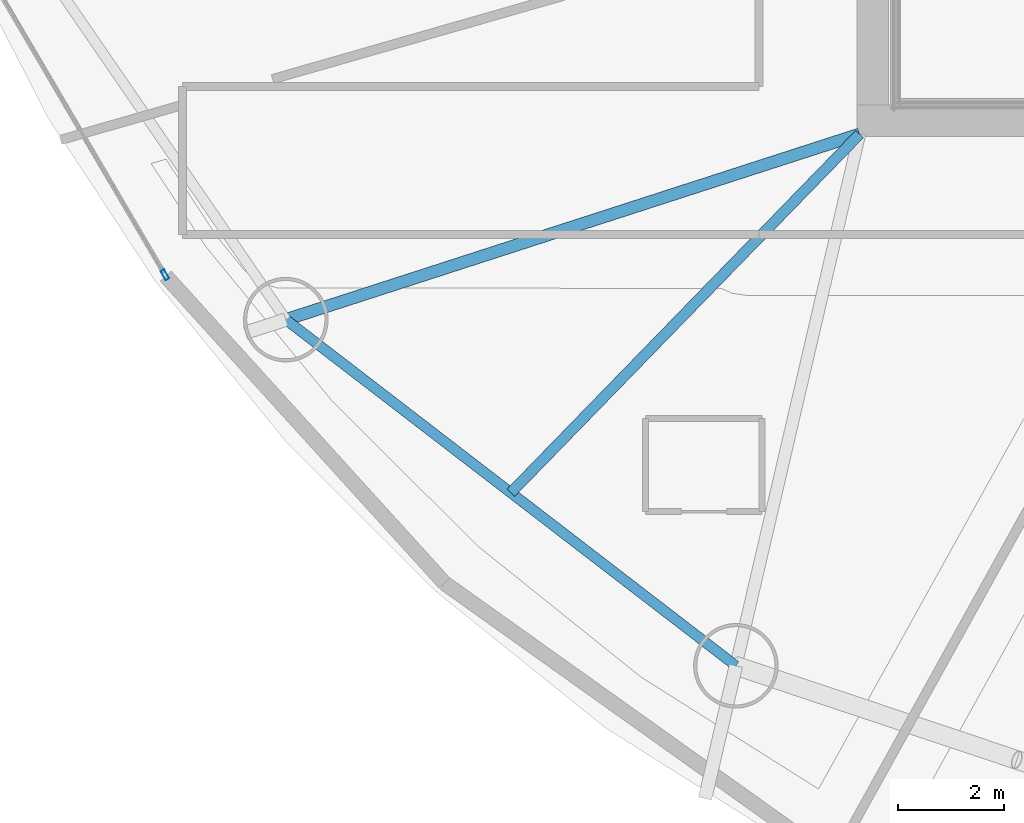
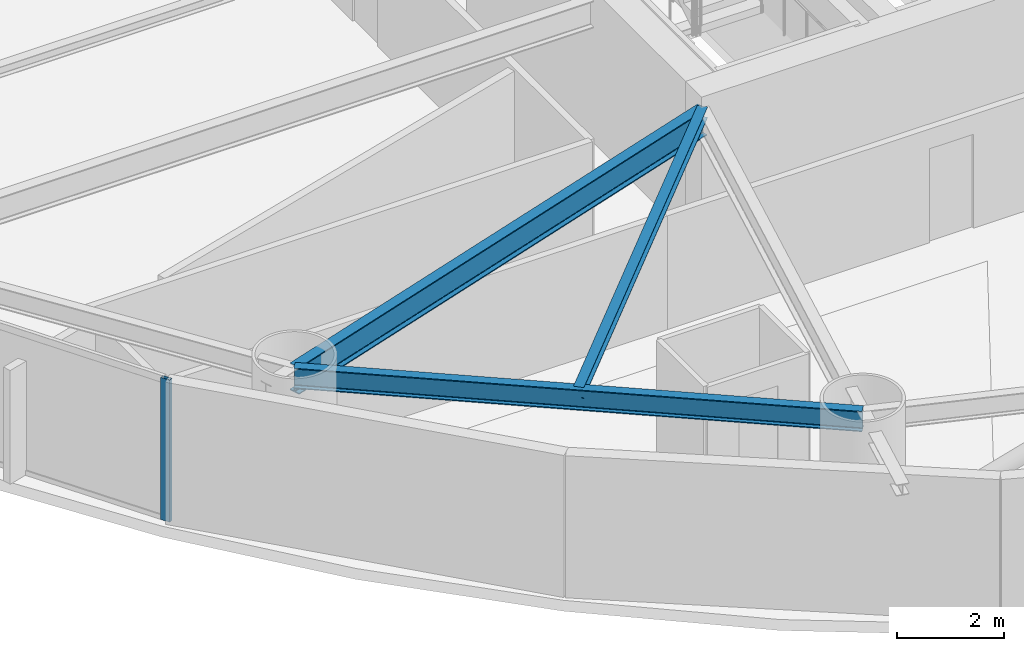
# One storey, part 2 of 30: 3 beams, 1 member, 1 element without a shape of its own.
"""IFC4 building model written with IfcOpenShell, lengths in metres."""

from ifc_helpers import new_model, si_unit, direction, frame, origin, origin_2d, place, context, subcontext, project, spatial, hollow_rectangle, i_section, extrude, material, layer, layer_set, material_profile, profile_set, type_object, element, aggregate, save


model = new_model("IFC4")

# Units and contexts
model_context = context("Model", 3, precision=1e-05, world=origin(), true_north=direction((0.0, 1.0)))
body_context = subcontext(model_context, "Body", "Model", "MODEL_VIEW")
ifc_project = project(units=[si_unit("LENGTHUNIT", "METRE"), si_unit("AREAUNIT", "SQUARE_METRE"), si_unit("VOLUMEUNIT", "CUBIC_METRE"), si_unit("PLANEANGLEUNIT", "RADIAN"), si_unit("MASSUNIT", "GRAM", prefix="KILO")], contexts=[model_context])

# Site, building, storey
site_placement = place(None, origin())
site = spatial("IfcSite", under=ifc_project, at=site_placement, CompositionType="ELEMENT")
building_placement = place(site_placement, origin())
building = spatial("IfcBuilding", under=site, at=building_placement, Name="Bramvorn Convention Spire", CompositionType="ELEMENT")
storey_placement = place(building_placement, frame((0.0, 0.0, 90.39990234375)))
storey = spatial("IfcBuildingStorey", under=building, at=storey_placement, Name="L21", CompositionType="ELEMENT", Elevation=90.39990234375)

# Beams
ifc_material_1 = material(Name="Steel CSA G40.21 Grade 350 (350W)", Category="steel")
ifc_material_profile_1 = material_profile(ifc_material_1, i_section(OverallWidth=0.201904296875, OverallDepth=0.2470703125, WebThickness=0.00732421875, FlangeThickness=0.010986328125, FilletRadius=0.011962890625, at=origin_2d()))
ifc_profile_set_1 = profile_set([ifc_material_profile_1], Name="Steel CSA G40.21 Grade 350 (350W) - W250X49")
beam_type_1 = type_object("IfcBeamType", Name="BM-W250X49", PredefinedType="JOIST", material=ifc_profile_set_1)
beam_1_placement = place(storey_placement, frame((26.75, 18.550048828125, 3.126708984375), z_axis=(-0.697157225069, -0.716918268378, 0.0), x_axis=(0.716918268378, -0.697157225069, 0.0)))
element("IfcBeam", 1, at=beam_1_placement, inside=storey, type_object=beam_type_1, Name="L21 composite floor joist 11", PredefinedType="JOIST", context=body_context, shape_type="SweptSolid", body=[
    extrude(i_section(OverallWidth=0.201904296875, OverallDepth=0.2470703125, WebThickness=0.00732421875, FlangeThickness=0.010986328125, FilletRadius=0.011962890625, at=origin_2d()), origin(), (0.0, 0.0, 1.0), 9.463623046875),
])
ifc_material_profile_2 = material_profile(ifc_material_1, i_section(OverallWidth=0.194091796875, OverallDepth=0.468994140625, WebThickness=0.0126953125, FlangeThickness=0.0205078125, FilletRadius=0.01806640625, at=origin_2d()))
ifc_profile_set_2 = profile_set([ifc_material_profile_2], Name="Steel CSA G40.21 Grade 350 (350W) - W460X106")
beam_type_2 = type_object("IfcBeamType", Name="BM-W460X106", PredefinedType="SPANDREL", material=ifc_profile_set_2)
beam_2_placement = place(storey_placement, frame((15.894775390625, 15.039794921875, 3.015625), z_axis=(0.792672990445, -0.609647053809, 0.0), x_axis=(0.609647053809, 0.792672990445, 0.0)))
element("IfcBeam", 2, at=beam_2_placement, inside=storey, type_object=beam_type_2, Name="L21 mega-column ring beam 11", PredefinedType="SPANDREL", context=body_context, shape_type="SweptSolid", body=[
    extrude(i_section(OverallWidth=0.194091796875, OverallDepth=0.468994140625, WebThickness=0.0126953125, FlangeThickness=0.0205078125, FilletRadius=0.01806640625, at=origin_2d()), origin(), (0.0, 0.0, 1.0), 10.741943359375),
])
ifc_material_profile_3 = material_profile(ifc_material_1, i_section(OverallWidth=0.22998046875, OverallDepth=0.616943359375, WebThickness=0.01318359375, FlangeThickness=0.022216796875, FilletRadius=0.02001953125, at=origin_2d()))
ifc_profile_set_3 = profile_set([ifc_material_profile_3], Name="Steel CSA G40.21 Grade 350 (350W) - W610X140")
beam_type_3 = type_object("IfcBeamType", Name="BM-W610X140", PredefinedType="BEAM", material=ifc_profile_set_3)
beam_3_placement = place(storey_placement, frame((26.75, 18.550048828125, 2.941650390625), z_axis=(-0.951488933275, -0.307682969719, 0.0), x_axis=(0.307682969719, -0.951488933275, 0.0)))
element("IfcBeam", 3, at=beam_3_placement, inside=storey, type_object=beam_type_3, Name="L21 radial floor girder MC11", PredefinedType="BEAM", context=body_context, shape_type="SweptSolid", body=[
    extrude(i_section(OverallWidth=0.22998046875, OverallDepth=0.616943359375, WebThickness=0.01318359375, FlangeThickness=0.022216796875, FilletRadius=0.02001953125, at=origin_2d()), origin(), (0.0, 0.0, 1.0), 11.40869140625),
])

# Curtain wall, member
ifc_material_2 = material(Name="Anodised Bronze Unitised Curtain Wall", Category="aluminium")
ifc_layer = layer(ifc_material_2, 0.179931640625)
ifc_layer_set = layer_set([ifc_layer], Name="Anodised Bronze Unitised Curtain Wall - CW-HTL-FRIT")
curtain_wall_type = type_object("IfcCurtainWallType", Name="CW-HTL-FRIT", PredefinedType="USERDEFINED", material=ifc_layer_set)
curtain_wall_placement = place(storey_placement, origin())
curtain_wall = element("IfcCurtainWall", 4, at=curtain_wall_placement, inside=storey, type_object=curtain_wall_type, Name="L21 fritted glass curtain wall 15", ObjectType="UNITISED CURTAIN WALL", PredefinedType="USERDEFINED")
ifc_material_3 = material(Name="Anodised Bronze Aluminium 6063-T6", Category="aluminium")
ifc_material_profile_4 = material_profile(ifc_material_3, hollow_rectangle(XDim=0.080078125, YDim=0.199951171875, WallThickness=0.00390625, InnerFilletRadius=0.0009765625, OuterFilletRadius=0.00390625, at=origin_2d()))
ifc_profile_set_4 = profile_set([ifc_material_profile_4], Name="Anodised Bronze Aluminium 6063-T6 - CWM80X200")
member_type = type_object("IfcMemberType", Name="CW-MUL-180", PredefinedType="MULLION", material=ifc_profile_set_4)
member_placement = place(storey_placement, frame((13.609130859375, 15.88916015625, 0.0), z_axis=(0.0, 0.0, 1.0), x_axis=(-0.862629089126, -0.505836984209, 0.0)))
member = element("IfcMember", 5, at=member_placement, type_object=member_type, Name="CW2 mullion 1", PredefinedType="MULLION", context=body_context, shape_type="SweptSolid", body=[
    extrude(hollow_rectangle(XDim=0.080078125, YDim=0.199951171875, WallThickness=0.00390625, InnerFilletRadius=0.0009765625, OuterFilletRadius=0.00390625, at=origin_2d()), origin(), (0.0, 0.0, 1.0), 3.25),
])
aggregate(curtain_wall, [member])

save(model, "model.ifc")
